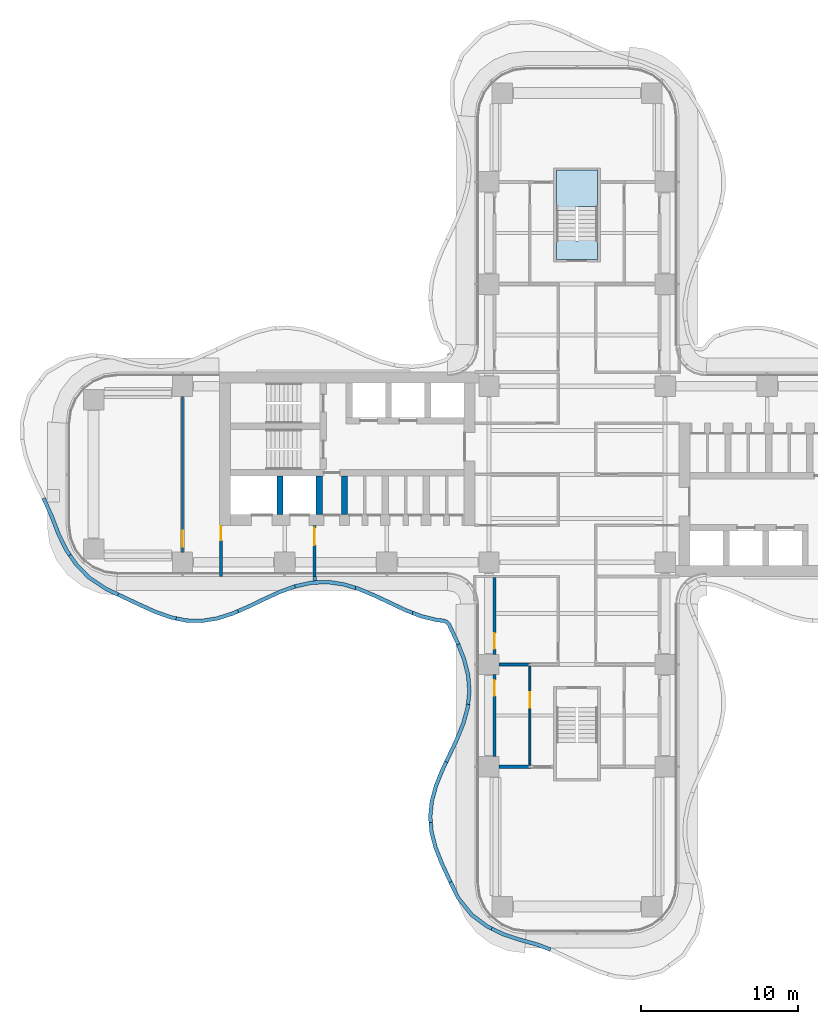
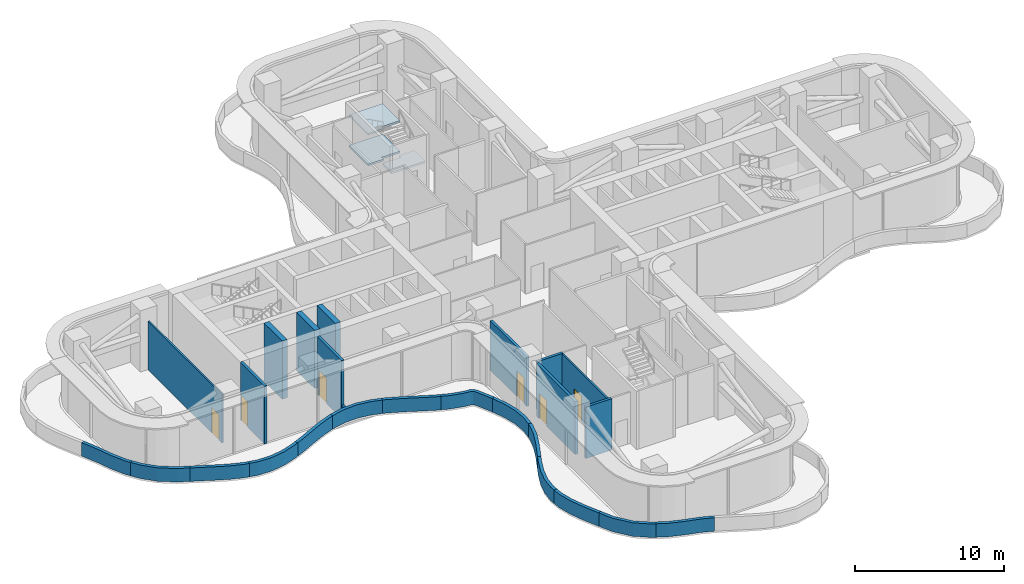
# One storey, part 12 of 20: 26 walls, 6 doors, 3 slabs, 6 openings, 1 element without a shape of its own.
"""IFC4 building model written with IfcOpenShell, lengths in metres."""

from ifc_helpers import new_model, si_unit, direction, frame, frame_2d, origin, place, context, subcontext, project, spatial, polyline, rectangle, outline, extrude, source, transform, mapped, material, layer, layer_set, type_object, element, fill, aggregate, save


model = new_model("IFC4")

# Units and contexts
model_context = context("Model", 3, precision=1e-05, world=origin(), true_north=direction((0.0, 1.0)))
body_context = subcontext(model_context, "Body", "Model", "MODEL_VIEW")
ifc_project = project(units=[si_unit("LENGTHUNIT", "METRE"), si_unit("AREAUNIT", "SQUARE_METRE"), si_unit("VOLUMEUNIT", "CUBIC_METRE"), si_unit("PLANEANGLEUNIT", "RADIAN"), si_unit("MASSUNIT", "GRAM", prefix="KILO")], contexts=[model_context])

# Site, building, storey
site_placement = place(None, origin())
site = spatial("IfcSite", under=ifc_project, at=site_placement, CompositionType="ELEMENT")
building_placement = place(site_placement, origin())
building = spatial("IfcBuilding", under=site, at=building_placement, Name="Trellis Farm Tower", CompositionType="ELEMENT")
storey_placement = place(building_placement, frame((0.0, 0.0, 92.5)))
storey = spatial("IfcBuildingStorey", under=building, at=storey_placement, Name="L19", CompositionType="ELEMENT", Elevation=92.5)

# Stair, slabs
ifc_material_1 = material(Name="Concrete C50/60", Category="concrete")
stair_type = type_object("IfcStairType", Name="CORE EXIT STAIR 36 RISERS 139 MM", PredefinedType="HALF_TURN_STAIR", material=ifc_material_1)
placement = place(storey_placement, origin())
stair = element("IfcStair", 1, at=placement, inside=storey, type_object=stair_type, Name="Exit stair N", PredefinedType="HALF_TURN_STAIR")
ifc_layer_1 = layer(ifc_material_1, 0.14990234375)
ifc_layer_set_1 = layer_set([ifc_layer_1], Name="CORE STAIR LANDING 150 CONCRETE C50/60")
slab_type = type_object("IfcSlabType", Name="CORE STAIR LANDING 150 CONCRETE C50/60", PredefinedType="LANDING", material=ifc_layer_set_1)
shared_shape_1 = source(origin(), body_context, "Body", "SweptSolid", [
    extrude(outline(polyline([(-0.10009765625, 16.79052734375), (-1.300048828125, 16.79052734375), (-1.300048828125, 17.050048828125), (-1.300048828125, 19.35009765625), (1.300048828125, 19.35009765625), (1.300048828125, 17.050048828125), (1.300048828125, 17.0400390625), (0.10009765625, 17.0400390625), (0.10009765625, 17.050048828125), (-0.10009765625, 17.050048828125), (-0.10009765625, 16.79052734375)])), origin(), (0.0, 0.0, 1.0), 0.14990234375),
])
slab_1_placement = place(storey_placement, frame((0.0, 0.0, 1.10009765625)))
slab_1 = element("IfcSlab", 2, at=slab_1_placement, type_object=slab_type, Name="STN landing 1", PredefinedType="LANDING", context=body_context, shape_type="MappedRepresentation", body=[
    mapped(shared_shape_1, transform((0.0, 0.0, 0.0))),
])
slab_2_placement = place(storey_placement, frame((0.0, 0.0, 3.60009765625)))
slab_2 = element("IfcSlab", 3, at=slab_2_placement, type_object=slab_type, Name="STN landing 3", PredefinedType="LANDING", context=body_context, shape_type="MappedRepresentation", body=[
    mapped(shared_shape_1, transform((0.0, 0.0, 0.0))),
])
shared_shape_2 = source(origin(), body_context, "Body", "SweptSolid", [
    extrude(outline(polyline([(1.300048828125, 13.64990234375), (-1.300048828125, 13.64990234375), (-1.300048828125, 14.85009765625), (-1.300048828125, 14.860107421875), (-0.10009765625, 14.860107421875), (-0.10009765625, 14.85009765625), (0.10009765625, 14.85009765625), (0.10009765625, 15.109375), (1.300048828125, 15.109375), (1.300048828125, 14.85009765625), (1.300048828125, 13.64990234375)])), origin(), (0.0, 0.0, 1.0), 0.14990234375),
])
slab_3_placement = place(storey_placement, frame((0.0, 0.0, 2.35009765625)))
slab_3 = element("IfcSlab", 4, at=slab_3_placement, type_object=slab_type, Name="STN landing 2", PredefinedType="LANDING", context=body_context, shape_type="MappedRepresentation", body=[
    mapped(shared_shape_2, transform((0.0, 0.0, 0.0))),
])
aggregate(stair, [slab_1, slab_3, slab_2])

# Walls
ifc_material_2 = material(Name="Sandstone faced insulated wall", Category="masonry")
ifc_layer_2 = layer(ifc_material_2, 0.22509765625)
ifc_layer_set_2 = layer_set([ifc_layer_2], Name="PARAPET WALL 225")
wall_type_1 = type_object("IfcWallType", Name="PARAPET WALL 225", PredefinedType="PARAPET", material=ifc_layer_set_2)
wall_1_placement = place(storey_placement, frame((-16.699951171875, -6.5, 0.0), z_axis=(0.0, 0.0, 1.0), x_axis=(0.0, -1.0, 0.0)))
element("IfcWall", 5, at=wall_1_placement, inside=storey, type_object=wall_type_1, Name="EW3 R03", PredefinedType="PARAPET", context=body_context, shape_type="SweptSolid", body=[
    extrude(rectangle(XDim=0.268310546875, YDim=0.22509765625, at=frame_2d((0.13427734375, 0.0))), origin(), (0.0, 0.0, 1.0), 1.10009765625),
])
element("IfcWall", 6, at=placement, inside=storey, type_object=wall_type_1, Name="Parapet", PredefinedType="PARAPET", context=body_context, shape_type="SweptSolid", body=[
    extrude(outline(polyline([(-31.1171875, -6.658935546875), (-31.94482421875, -5.814453125), (-32.36279296875, -5.206787109375), (-32.17041015625, -5.073486328125), (-31.753173828125, -5.677490234375), (-30.952392578125, -6.490478515625), (-29.897705078125, -7.1884765625), (-29.14404296875, -7.54541015625), (-29.244384765625, -7.7578125), (-30.005859375, -7.397216796875), (-31.1171875, -6.658935546875)])), origin(), (0.0, 0.0, 1.0), 1.10009765625),
])
element("IfcWall", 7, at=placement, inside=storey, type_object=wall_type_1, Name="Parapet", PredefinedType="PARAPET", context=body_context, shape_type="SweptSolid", body=[
    extrude(outline(polyline([(-32.36279296875, -5.206787109375), (-32.5927734375, -4.872802734375), (-33.09423828125, -3.84814453125), (-33.516845703125, -2.744873046875), (-33.952880859375, -1.7646484375), (-34.044189453125, -1.575927734375), (-33.83251953125, -1.473876953125), (-33.739013671875, -1.66748046875), (-33.30078125, -2.652099609375), (-32.880859375, -3.74951171875), (-32.382568359375, -4.766357421875), (-32.17041015625, -5.073486328125), (-32.36279296875, -5.206787109375)])), origin(), (0.0, 0.0, 1.0), 1.10009765625),
])
element("IfcWall", 8, at=placement, inside=storey, type_object=wall_type_1, Name="Parapet", PredefinedType="PARAPET", context=body_context, shape_type="SweptSolid", body=[
    extrude(outline(polyline([(-1.72900390625, -30.346923828125), (-2.5966796875, -30.018310546875), (-3.684814453125, -29.7197265625), (-4.758056640625, -29.3623046875), (-5.482421875, -29.002197265625), (-5.379150390625, -28.79296875), (-4.656494140625, -29.14990234375), (-3.61181640625, -29.49609375), (-2.5185546875, -29.79638671875), (-1.645751953125, -30.127197265625), (-1.72900390625, -30.346923828125)])), origin(), (0.0, 0.0, 1.0), 1.10009765625),
])
element("IfcWall", 9, at=placement, inside=storey, type_object=wall_type_1, Name="Parapet", PredefinedType="PARAPET", context=body_context, shape_type="SweptSolid", body=[
    extrude(outline(polyline([(-5.482421875, -29.002197265625), (-5.796875, -28.845947265625), (-6.752685546875, -28.139404296875), (-6.781494140625, -28.111572265625), (-7.677978515625, -26.982421875), (-8.159912109375, -25.9853515625), (-7.9482421875, -25.8828125), (-7.468017578125, -26.87548828125), (-6.607421875, -27.952880859375), (-5.659912109375, -28.654296875), (-5.379150390625, -28.79296875), (-5.482421875, -29.002197265625)])), origin(), (0.0, 0.0, 1.0), 1.10009765625),
])
element("IfcWall", 10, at=placement, inside=storey, type_object=wall_type_1, Name="Parapet", PredefinedType="PARAPET", context=body_context, shape_type="SweptSolid", body=[
    extrude(outline(polyline([(-8.159912109375, -25.9853515625), (-8.263916015625, -25.770263671875), (-8.72900390625, -24.76171875), (-9.1162109375, -23.773681640625), (-9.371337890625, -22.783203125), (-9.42529296875, -22.1591796875), (-9.191650390625, -22.139404296875), (-9.141357421875, -22.734375), (-8.894775390625, -23.694580078125), (-8.51416015625, -24.666259765625), (-8.052001953125, -25.66845703125), (-7.9482421875, -25.8828125), (-8.159912109375, -25.9853515625)])), origin(), (0.0, 0.0, 1.0), 1.10009765625),
])
element("IfcWall", 11, at=placement, inside=storey, type_object=wall_type_1, Name="Parapet", PredefinedType="PARAPET", context=body_context, shape_type="SweptSolid", body=[
    extrude(outline(polyline([(-9.42529296875, -22.1591796875), (-9.457275390625, -21.7880859375), (-9.358154296875, -20.785888671875), (-9.086181640625, -19.779052734375), (-8.677490234375, -18.76318359375), (-8.42919921875, -18.2392578125), (-8.216796875, -18.33984375), (-8.464599609375, -18.862548828125), (-8.85986328125, -19.84326171875), (-9.12548828125, -20.819091796875), (-9.22216796875, -21.779296875), (-9.191650390625, -22.139404296875), (-9.42529296875, -22.1591796875)])), origin(), (0.0, 0.0, 1.0), 1.10009765625),
])
element("IfcWall", 12, at=placement, inside=storey, type_object=wall_type_1, Name="Parapet", PredefinedType="PARAPET", context=body_context, shape_type="SweptSolid", body=[
    extrude(outline(polyline([(-8.42919921875, -18.2392578125), (-7.738037109375, -16.77978515625), (-7.3408203125, -15.794921875), (-7.070068359375, -14.809814453125), (-7.04931640625, -14.615478515625), (-6.815185546875, -14.639404296875), (-6.835205078125, -14.8330078125), (-7.120361328125, -15.876708984375), (-7.5244140625, -16.877197265625), (-8.216796875, -18.33984375), (-8.42919921875, -18.2392578125)])), origin(), (0.0, 0.0, 1.0), 1.10009765625),
])
element("IfcWall", 13, at=placement, inside=storey, type_object=wall_type_1, Name="Parapet", PredefinedType="PARAPET", context=body_context, shape_type="SweptSolid", body=[
    extrude(outline(polyline([(-7.04931640625, -14.615478515625), (-6.964111328125, -13.820068359375), (-7.043701171875, -12.8095703125), (-7.295166015625, -11.815185546875), (-7.66748046875, -10.862548828125), (-7.44873046875, -10.77685546875), (-7.076416015625, -11.728271484375), (-6.813232421875, -12.76171875), (-6.72900390625, -13.799560546875), (-6.815185546875, -14.639404296875), (-7.04931640625, -14.615478515625)])), origin(), (0.0, 0.0, 1.0), 1.10009765625),
])
element("IfcWall", 14, at=placement, inside=storey, type_object=wall_type_1, Name="Parapet", PredefinedType="PARAPET", context=body_context, shape_type="SweptSolid", body=[
    extrude(outline(polyline([(-7.66748046875, -10.862548828125), (-7.698974609375, -10.78173828125), (-8.23974609375, -9.63330078125), (-8.344482421875, -9.506103515625), (-8.373046875, -9.48583984375), (-8.5283203125, -9.430908203125), (-8.939697265625, -9.3876953125), (-9.935546875, -9.14501953125), (-10.512451171875, -8.924560546875), (-10.4287109375, -8.705078125), (-9.85888671875, -8.922607421875), (-8.89208984375, -9.1572265625), (-8.48974609375, -9.198486328125), (-8.443603515625, -9.209228515625), (-8.262939453125, -9.276123046875), (-8.184814453125, -9.3310546875), (-8.060302734375, -9.47802734375), (-8.03369140625, -9.519287109375), (-7.484619140625, -10.685302734375), (-7.44873046875, -10.77685546875), (-7.66748046875, -10.862548828125)])), origin(), (0.0, 0.0, 1.0), 1.10009765625),
])
element("IfcWall", 15, at=placement, inside=storey, type_object=wall_type_1, Name="Parapet", PredefinedType="PARAPET", context=body_context, shape_type="SweptSolid", body=[
    extrude(outline(polyline([(-10.512451171875, -8.924560546875), (-10.925048828125, -8.766845703125), (-12.8994140625, -7.83447265625), (-13.92578125, -7.402099609375), (-14.134521484375, -7.3388671875), (-14.066650390625, -7.114013671875), (-13.8515625, -7.178955078125), (-12.801513671875, -7.620849609375), (-10.82861328125, -8.552490234375), (-10.4287109375, -8.705078125), (-10.512451171875, -8.924560546875)])), origin(), (0.0, 0.0, 1.0), 1.10009765625),
])
element("IfcWall", 16, at=placement, inside=storey, type_object=wall_type_1, Name="Parapet", PredefinedType="PARAPET", context=body_context, shape_type="SweptSolid", body=[
    extrude(outline(polyline([(-14.134521484375, -7.3388671875), (-14.87939453125, -7.11279296875), (-15.8701171875, -6.970947265625), (-16.866455078125, -7.010986328125), (-17.912841796875, -7.2431640625), (-17.917724609375, -7.2451171875), (-17.96875, -7.01611328125), (-16.906982421875, -6.779296875), (-15.83447265625, -6.737548828125), (-14.8369140625, -6.881591796875), (-14.066650390625, -7.114013671875), (-14.134521484375, -7.3388671875)])), origin(), (0.0, 0.0, 1.0), 1.10009765625),
])
element("IfcWall", 17, at=placement, inside=storey, type_object=wall_type_1, Name="Parapet", PredefinedType="PARAPET", context=body_context, shape_type="SweptSolid", body=[
    extrude(outline(polyline([(-17.917724609375, -7.2451171875), (-18.897216796875, -7.607421875), (-19.882568359375, -8.059814453125), (-20.8701171875, -8.535400390625), (-21.51708984375, -8.814697265625), (-21.6103515625, -8.598876953125), (-20.969970703125, -8.322509765625), (-19.983642578125, -7.847412109375), (-18.9912109375, -7.391845703125), (-17.98681640625, -7.02001953125), (-17.96875, -7.01611328125), (-17.917724609375, -7.2451171875)])), origin(), (0.0, 0.0, 1.0), 1.10009765625),
])
element("IfcWall", 18, at=placement, inside=storey, type_object=wall_type_1, Name="Parapet", PredefinedType="PARAPET", context=body_context, shape_type="SweptSolid", body=[
    extrude(outline(polyline([(-21.51708984375, -8.814697265625), (-21.875244140625, -8.969482421875), (-22.848388671875, -9.281005859375), (-23.869384765625, -9.444580078125), (-24.898681640625, -9.41650390625), (-25.526611328125, -9.285400390625), (-25.479248046875, -9.055908203125), (-24.854736328125, -9.18505859375), (-23.86767578125, -9.208984375), (-22.91162109375, -9.0546875), (-21.966552734375, -8.752685546875), (-21.6103515625, -8.598876953125), (-21.51708984375, -8.814697265625)])), origin(), (0.0, 0.0, 1.0), 1.10009765625),
])
element("IfcWall", 19, at=placement, inside=storey, type_object=wall_type_1, Name="Parapet", PredefinedType="PARAPET", context=body_context, shape_type="SweptSolid", body=[
    extrude(outline(polyline([(-25.526611328125, -9.285400390625), (-25.889892578125, -9.209716796875), (-26.87890625, -8.857177734375), (-27.8671875, -8.409912109375), (-29.244384765625, -7.7578125), (-29.14404296875, -7.54541015625), (-27.767578125, -8.197021484375), (-26.78662109375, -8.64111328125), (-25.813720703125, -8.987060546875), (-25.479248046875, -9.055908203125), (-25.526611328125, -9.285400390625)])), origin(), (0.0, 0.0, 1.0), 1.10009765625),
])
ifc_material_3 = material(Name="Concrete C80/95", Category="concrete")
ifc_layer_3 = layer(ifc_material_3, 0.39990234375)
ifc_layer_set_3 = layer_set([ifc_layer_3], Name="CORE INNER WALL 400 CONCRETE C80/95")
wall_type_2 = type_object("IfcWallType", Name="CORE INNER WALL 400 CONCRETE C80/95", PredefinedType="SHEAR", material=ifc_layer_set_3)
shared_shape_3 = source(origin(), body_context, "Body", "SweptSolid", [
    extrude(rectangle(XDim=2.449951171875, YDim=0.39990234375, at=frame_2d((1.22509765625, 0.0))), origin(), (0.0, 0.0, 1.0), 4.75),
])
for number, where, z_axis, x_axis, name in (
    (20, (-14.800048828125, -0.10009765625, 0.0), (0.0, 0.0, 1.0), (0.0, -1.0, 0.0), "Core wall"),
    (21, (-16.39990234375, -0.10009765625, 0.0), (0.0, 0.0, 1.0), (0.0, -1.0, 0.0), "Core wall"),
    (22, (-18.89990234375, -0.10009765625, 0.0), (0.0, 0.0, 1.0), (0.0, -1.0, 0.0), "Core wall"),
):
    element("IfcWall", number, at=place(storey_placement, frame(where, z_axis=z_axis, x_axis=x_axis)), inside=storey, type_object=wall_type_2, Name=name, PredefinedType="SHEAR", context=body_context, shape_type="MappedRepresentation", body=[
        mapped(shared_shape_3, transform((0.0, 0.0, 0.0))),
    ])

# Wall, opening, door
ifc_material_4 = material(Name="Masonry blockwork", Category="masonry")
ifc_layer_4 = layer(ifc_material_4, 0.199951171875)
ifc_layer_set_4 = layer_set([ifc_layer_4], Name="FIRE LOBBY PARTITION 200 BLOCKWORK")
wall_type_3 = type_object("IfcWallType", Name="FIRE LOBBY PARTITION 200 BLOCKWORK", PredefinedType="PARTITIONING", material=ifc_layer_set_4)
shared_shape_4 = source(origin(), body_context, "Body", "SweptSolid", [
    extrude(rectangle(XDim=3.25, YDim=0.199951171875, at=frame_2d((1.625, 0.0))), origin(), (0.0, 0.0, 1.0), 4.75),
])
wall_16_placement = place(storey_placement, frame((-16.699951171875, -3.25, 0.0), z_axis=(0.0, 0.0, 1.0), x_axis=(0.0, -1.0, 0.0)))
wall_16 = element("IfcWall", 23, at=wall_16_placement, inside=storey, type_object=wall_type_3, Name="Fire-fighting lobby partition", PredefinedType="PARTITIONING", context=body_context, shape_type="MappedRepresentation", body=[
    mapped(shared_shape_4, transform((0.0, 0.0, 0.0))),
])
shared_shape_5 = source(origin(), body_context, "Body", "SweptSolid", [
    extrude(rectangle(XDim=1.10009765625, YDim=2.10009765625, at=frame_2d((0.550048828125, 1.050048828125))), frame((0.0, 0.110107421875, 0.0), z_axis=(0.0, -1.0, 0.0), x_axis=(1.0, 0.0, 0.0)), (0.0, 0.0, 1.0), 0.22021484375),
])
opening_1_placement = place(wall_16_placement, frame((0.14990234375, 0.0, 0.0)))
opening_1 = element("IfcOpeningElement", 24, at=opening_1_placement, cuts=wall_16, Name="Opening DC93", PredefinedType="OPENING", context=body_context, shape_type="MappedRepresentation", body=[
    mapped(shared_shape_5, transform((0.0, 0.0, 0.0))),
])
ifc_material_5 = material(Name="Steel", Category="steel")
door_type_1 = type_object("IfcDoorType", Name="CORE FIRE DOOR 1100 X 2100", OperationType="NOTDEFINED", PredefinedType="DOOR", material=ifc_material_5)
shared_shape_6 = source(origin(), body_context, "Body", "SweptSolid", [
    extrude(rectangle(XDim=1.10009765625, YDim=2.10009765625, at=frame_2d((0.550048828125, 1.050048828125))), frame((0.0, 0.02490234375, 0.0), z_axis=(0.0, -1.0, 0.0), x_axis=(1.0, 0.0, 0.0)), (0.0, 0.0, 1.0), 0.050048828125),
])
door_1_placement = place(opening_1_placement, origin())
door_1 = element("IfcDoor", 25, at=door_1_placement, inside=storey, type_object=door_type_1, Name="Core door", OperationType="SINGLE_SWING_RIGHT", OverallHeight=2.10009765625, OverallWidth=1.10009765625, PredefinedType="DOOR", context=body_context, shape_type="MappedRepresentation", body=[
    mapped(shared_shape_6, transform((0.0, 0.0, 0.0))),
])
fill(opening_1, door_1)

wall_17_placement = place(storey_placement, frame((-22.64990234375, -3.25, 0.0), z_axis=(0.0, 0.0, 1.0), x_axis=(0.0, -1.0, 0.0)))
wall_17 = element("IfcWall", 26, at=wall_17_placement, inside=storey, type_object=wall_type_3, Name="Fire-fighting lobby partition", PredefinedType="PARTITIONING", context=body_context, shape_type="MappedRepresentation", body=[
    mapped(shared_shape_4, transform((0.0, 0.0, 0.0))),
])
shared_shape_7 = source(origin(), body_context, "Body", "SweptSolid", [
    extrude(rectangle(XDim=0.89990234375, YDim=2.10009765625, at=frame_2d((0.449951171875, 1.050048828125))), frame((0.0, 0.110107421875, 0.0), z_axis=(0.0, -1.0, 0.0), x_axis=(1.0, 0.0, 0.0)), (0.0, 0.0, 1.0), 0.22021484375),
])
opening_2_placement = place(wall_17_placement, frame((0.050048828125, 0.0, 0.0)))
opening_2 = element("IfcOpeningElement", 27, at=opening_2_placement, cuts=wall_17, Name="Opening DC94", PredefinedType="OPENING", context=body_context, shape_type="MappedRepresentation", body=[
    mapped(shared_shape_7, transform((0.0, 0.0, 0.0))),
])
door_type_2 = type_object("IfcDoorType", Name="CORE FIRE DOOR 900 X 2100", OperationType="NOTDEFINED", PredefinedType="DOOR", material=ifc_material_5)
shared_shape_8 = source(origin(), body_context, "Body", "SweptSolid", [
    extrude(rectangle(XDim=0.89990234375, YDim=2.10009765625, at=frame_2d((0.449951171875, 1.050048828125))), frame((0.0, 0.02490234375, 0.0), z_axis=(0.0, -1.0, 0.0), x_axis=(1.0, 0.0, 0.0)), (0.0, 0.0, 1.0), 0.050048828125),
])
door_2_placement = place(opening_2_placement, origin())
door_2 = element("IfcDoor", 28, at=door_2_placement, inside=storey, type_object=door_type_2, Name="Core door", OperationType="SINGLE_SWING_RIGHT", OverallHeight=2.10009765625, OverallWidth=0.89990234375, PredefinedType="DOOR", context=body_context, shape_type="MappedRepresentation", body=[
    mapped(shared_shape_8, transform((0.0, 0.0, 0.0))),
])
fill(opening_2, door_2)

ifc_material_6 = material(Name="Lightweight blockwork, plastered", Category="masonry")
ifc_layer_5 = layer(ifc_material_6, 0.199951171875)
ifc_layer_set_5 = layer_set([ifc_layer_5], Name="BLOCK WALL 200 EI 120")
wall_type_4 = type_object("IfcWallType", Name="BLOCK WALL 200 EI 120", PredefinedType="PARTITIONING", material=ifc_layer_set_5)
shared_shape_9 = source(origin(), body_context, "Body", "SweptSolid", [
    extrude(rectangle(XDim=5.199951171875, YDim=0.199951171875, at=frame_2d((2.60009765625, 0.0))), origin(), (0.0, 0.0, 1.0), 4.323486328125),
])
wall_18_placement = place(storey_placement, frame((-5.25, -17.949951171875, 0.0), z_axis=(0.0, 0.0, 1.0), x_axis=(0.0, 1.0, 0.0)))
wall_18 = element("IfcWall", 29, at=wall_18_placement, inside=storey, type_object=wall_type_4, Name="Partition PW3", PredefinedType="PARTITIONING", context=body_context, shape_type="MappedRepresentation", body=[
    mapped(shared_shape_9, transform((0.0, 0.0, 0.0))),
])
shared_shape_10 = source(origin(), body_context, "Body", "SweptSolid", [
    extrude(rectangle(XDim=1.0, YDim=2.10009765625, at=frame_2d((0.5, 1.050048828125))), frame((0.0, 0.110107421875, 0.0), z_axis=(0.0, -1.0, 0.0), x_axis=(1.0, 0.0, 0.0)), (0.0, 0.0, 1.0), 0.22021484375),
])
opening_3_placement = place(wall_18_placement, frame((3.85009765625, 0.0, 0.0)))
opening_3 = element("IfcOpeningElement", 30, at=opening_3_placement, cuts=wall_18, Name="Opening D102", PredefinedType="OPENING", context=body_context, shape_type="MappedRepresentation", body=[
    mapped(shared_shape_10, transform((0.0, 0.0, 0.0))),
])
ifc_material_7 = material(Name="Fire-rated timber door leaf in a hollow metal frame", Category="wood")
door_type_3 = type_object("IfcDoorType", Name="DOOR 1000x2100 FD30S", OperationType="NOTDEFINED", PredefinedType="DOOR", material=ifc_material_7)
shared_shape_11 = source(origin(), body_context, "Body", "SweptSolid", [
    extrude(rectangle(XDim=1.0, YDim=2.10009765625, at=frame_2d((0.5, 1.050048828125))), frame((0.0, 0.02490234375, 0.0), z_axis=(0.0, -1.0, 0.0), x_axis=(1.0, 0.0, 0.0)), (0.0, 0.0, 1.0), 0.050048828125),
])
door_3_placement = place(opening_3_placement, origin())
door_3 = element("IfcDoor", 31, at=door_3_placement, inside=storey, type_object=door_type_3, Name="Door D102", OperationType="SINGLE_SWING_RIGHT", OverallHeight=2.10009765625, OverallWidth=1.0, PredefinedType="DOOR", context=body_context, shape_type="MappedRepresentation", body=[
    mapped(shared_shape_11, transform((0.0, 0.0, 0.0))),
])
fill(opening_3, door_3)

ifc_material_8 = material(Name="Plasterboard on steel studs, mineral wool", Category="steel")
ifc_layer_6 = layer(ifc_material_8, 0.125)
ifc_layer_set_6 = layer_set([ifc_layer_6], Name="PARTITION 125 STUD EI 60")
wall_type_5 = type_object("IfcWallType", Name="PARTITION 125 STUD EI 60", PredefinedType="PARTITIONING", material=ifc_layer_set_6)
shared_shape_12 = source(origin(), body_context, "Body", "SweptSolid", [
    extrude(rectangle(XDim=6.300048828125, YDim=0.125, at=frame_2d((3.14990234375, 0.0))), origin(), (0.0, 0.0, 1.0), 3.9677734375),
])
wall_19_placement = place(storey_placement, frame((-3.0, -18.5, 0.0), z_axis=(0.0, 0.0, 1.0), x_axis=(0.0, 1.0, 0.0)))
wall_19 = element("IfcWall", 32, at=wall_19_placement, inside=storey, type_object=wall_type_5, Name="Partition PW1", PredefinedType="PARTITIONING", context=body_context, shape_type="MappedRepresentation", body=[
    mapped(shared_shape_12, transform((0.0, 0.0, 0.0))),
])
shared_shape_13 = source(origin(), body_context, "Body", "SweptSolid", [
    extrude(rectangle(XDim=1.0, YDim=2.10009765625, at=frame_2d((0.5, 1.050048828125))), frame((0.0, 0.072509765625, 0.0), z_axis=(0.0, -1.0, 0.0), x_axis=(1.0, 0.0, 0.0)), (0.0, 0.0, 1.0), 0.14501953125),
])
opening_4_placement = place(wall_19_placement, frame((3.64990234375, 0.0, 0.0)))
opening_4 = element("IfcOpeningElement", 33, at=opening_4_placement, cuts=wall_19, Name="Opening D301", PredefinedType="OPENING", context=body_context, shape_type="MappedRepresentation", body=[
    mapped(shared_shape_13, transform((0.0, 0.0, 0.0))),
])
door_type_4 = type_object("IfcDoorType", Name="DOOR 1000x2100 FD60", OperationType="NOTDEFINED", PredefinedType="DOOR", material=ifc_material_7)
door_4_placement = place(opening_4_placement, origin())
door_4 = element("IfcDoor", 34, at=door_4_placement, inside=storey, type_object=door_type_4, Name="Door D301", OperationType="SINGLE_SWING_RIGHT", OverallHeight=2.10009765625, OverallWidth=1.0, PredefinedType="DOOR", context=body_context, shape_type="MappedRepresentation", body=[
    mapped(shared_shape_11, transform((0.0, 0.0, 0.0))),
])
fill(opening_4, door_4)

shared_shape_14 = source(origin(), body_context, "Body", "SweptSolid", [
    extrude(rectangle(XDim=4.887451171875, YDim=0.199951171875, at=frame_2d((2.44384765625, 0.0))), origin(), (0.0, 0.0, 1.0), 4.04638671875),
])
wall_20_placement = place(storey_placement, frame((-5.25, -11.449951171875, 0.0), z_axis=(0.0, 0.0, 1.0), x_axis=(0.0, 1.0, 0.0)))
wall_20 = element("IfcWall", 35, at=wall_20_placement, inside=storey, type_object=wall_type_4, Name="Partition PW3", PredefinedType="PARTITIONING", context=body_context, shape_type="MappedRepresentation", body=[
    mapped(shared_shape_14, transform((0.0, 0.0, 0.0))),
])
opening_5_placement = place(wall_20_placement, frame((0.35009765625, 0.0, 0.0)))
opening_5 = element("IfcOpeningElement", 36, at=opening_5_placement, cuts=wall_20, Name="Opening D104", PredefinedType="OPENING", context=body_context, shape_type="MappedRepresentation", body=[
    mapped(shared_shape_10, transform((0.0, 0.0, 0.0))),
])
door_5_placement = place(opening_5_placement, origin())
door_5 = element("IfcDoor", 37, at=door_5_placement, inside=storey, type_object=door_type_3, Name="Door D104", OperationType="SINGLE_SWING_LEFT", OverallHeight=2.10009765625, OverallWidth=1.0, PredefinedType="DOOR", context=body_context, shape_type="MappedRepresentation", body=[
    mapped(shared_shape_11, transform((0.0, 0.0, 0.0))),
])
fill(opening_5, door_5)

shared_shape_15 = source(origin(), body_context, "Body", "SweptSolid", [
    extrude(rectangle(XDim=9.89990234375, YDim=0.125, at=frame_2d((4.949951171875, 0.0))), origin(), (0.0, 0.0, 1.0), 3.9677734375),
])
wall_21_placement = place(storey_placement, frame((-25.10009765625, -4.949951171875, 0.0), z_axis=(0.0, 0.0, 1.0), x_axis=(0.0, 1.0, 0.0)))
wall_21 = element("IfcWall", 38, at=wall_21_placement, inside=storey, type_object=wall_type_5, Name="Partition PW1", PredefinedType="PARTITIONING", context=body_context, shape_type="MappedRepresentation", body=[
    mapped(shared_shape_15, transform((0.0, 0.0, 0.0))),
])
opening_6_placement = place(wall_21_placement, frame((0.35009765625, 0.0, 0.0)))
opening_6 = element("IfcOpeningElement", 39, at=opening_6_placement, cuts=wall_21, Name="Opening D305", PredefinedType="OPENING", context=body_context, shape_type="MappedRepresentation", body=[
    mapped(shared_shape_13, transform((0.0, 0.0, 0.0))),
])
door_6_placement = place(opening_6_placement, origin())
door_6 = element("IfcDoor", 40, at=door_6_placement, inside=storey, type_object=door_type_4, Name="Door D305", OperationType="SINGLE_SWING_LEFT", OverallHeight=2.10009765625, OverallWidth=1.0, PredefinedType="DOOR", context=body_context, shape_type="MappedRepresentation", body=[
    mapped(shared_shape_11, transform((0.0, 0.0, 0.0))),
])
fill(opening_6, door_6)

# Walls
shared_shape_16 = source(origin(), body_context, "Body", "SweptSolid", [
    extrude(rectangle(XDim=2.012451171875, YDim=0.199951171875, at=frame_2d((1.00634765625, 0.0))), origin(), (0.0, 0.0, 1.0), 4.197021484375),
])
wall_22_placement = place(storey_placement, frame((-4.949951171875, -18.60009765625, 0.0), z_axis=(0.0, 0.0, 1.0), x_axis=(1.0, 0.0, 0.0)))
element("IfcWall", 41, at=wall_22_placement, inside=storey, type_object=wall_type_4, Name="Partition PW3", PredefinedType="PARTITIONING", context=body_context, shape_type="MappedRepresentation", body=[
    mapped(shared_shape_16, transform((0.0, 0.0, 0.0))),
])
shared_shape_17 = source(origin(), body_context, "Body", "SweptSolid", [
    extrude(rectangle(XDim=2.012451171875, YDim=0.199951171875, at=frame_2d((1.00634765625, 0.0))), origin(), (0.0, 0.0, 1.0), 3.9677734375),
])
wall_23_placement = place(storey_placement, frame((-4.949951171875, -12.10009765625, 0.0), z_axis=(0.0, 0.0, 1.0), x_axis=(1.0, 0.0, 0.0)))
element("IfcWall", 42, at=wall_23_placement, inside=storey, type_object=wall_type_4, Name="Partition PW3", PredefinedType="PARTITIONING", context=body_context, shape_type="MappedRepresentation", body=[
    mapped(shared_shape_17, transform((0.0, 0.0, 0.0))),
])

save(model, "model.ifc")
